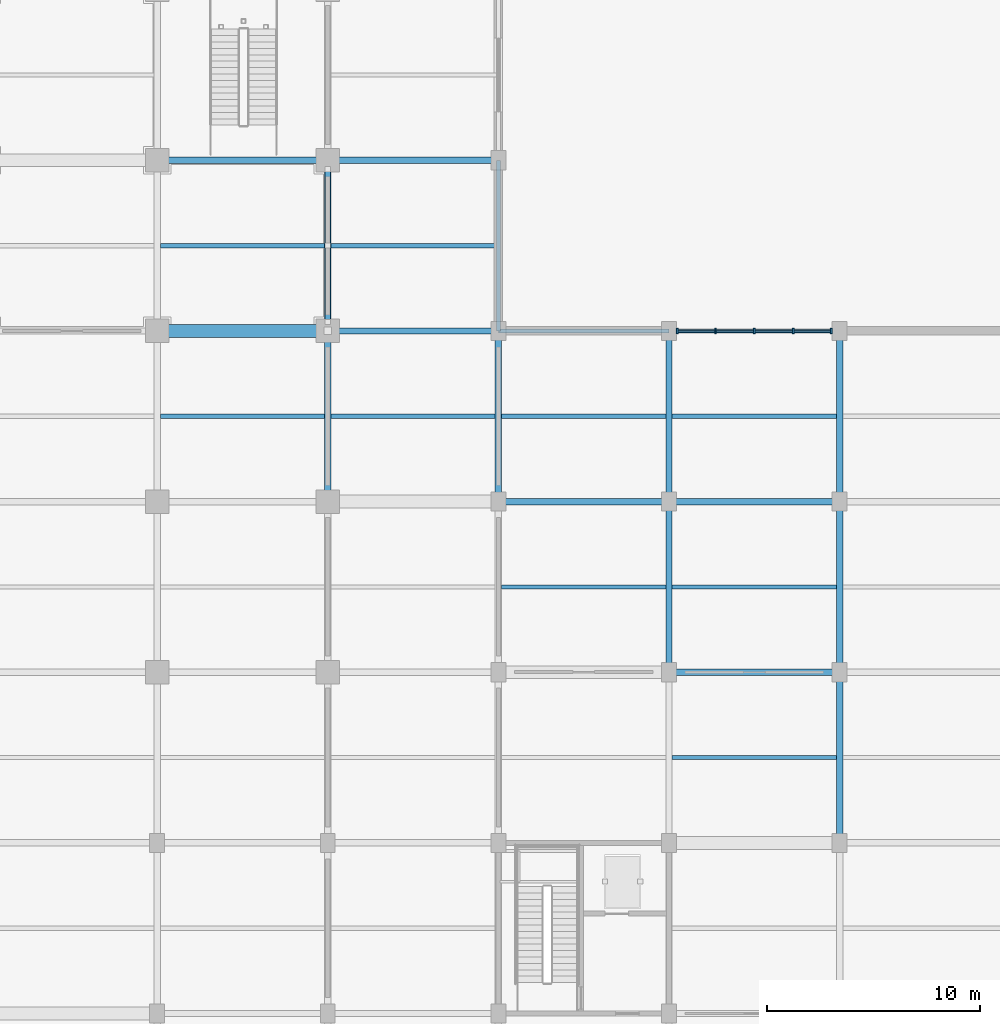
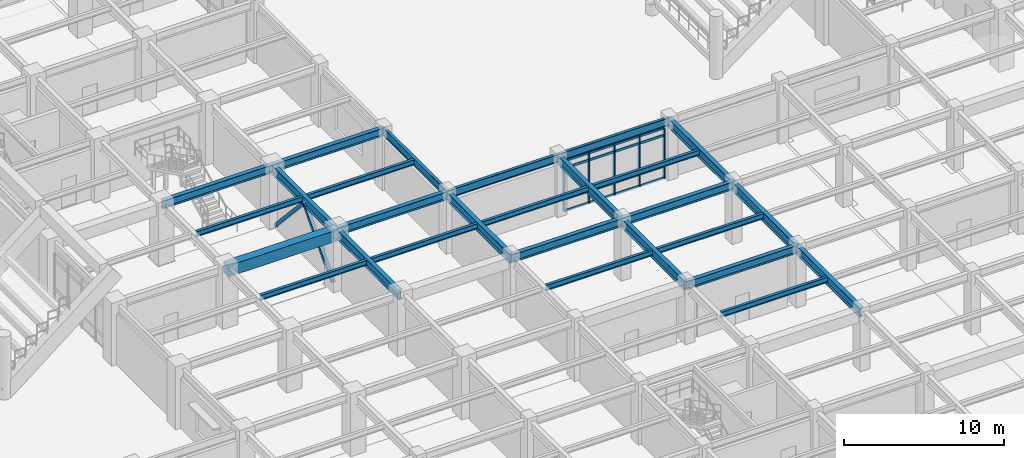
# One storey, part 33 of 125: 27 beams, 23 members, 1 element without a shape of its own.
"""IFC4 building model written with IfcOpenShell, lengths in metres."""

from ifc_helpers import new_model, si_unit, direction, frame, origin, origin_2d, place, context, subcontext, project, spatial, rectangle, hollow_rectangle, i_section, extrude, material, layer, layer_set, material_profile, profile_set, type_object, element, aggregate, save


model = new_model("IFC4")

# Units and contexts
model_context = context("Model", 3, precision=1e-05, world=origin(), true_north=direction((0.0, 1.0)))
body_context = subcontext(model_context, "Body", "Model", "MODEL_VIEW")
ifc_project = project(units=[si_unit("LENGTHUNIT", "METRE"), si_unit("AREAUNIT", "SQUARE_METRE"), si_unit("VOLUMEUNIT", "CUBIC_METRE"), si_unit("PLANEANGLEUNIT", "RADIAN"), si_unit("MASSUNIT", "GRAM", prefix="KILO")], contexts=[model_context])

# Site, building, storey
site_placement = place(None, origin())
site = spatial("IfcSite", under=ifc_project, at=site_placement, CompositionType="ELEMENT")
building_placement = place(site_placement, origin())
building = spatial("IfcBuilding", under=site, at=building_placement, Name="Haebicheon Civic Stadium", CompositionType="ELEMENT")
storey_placement = place(building_placement, origin())
storey = spatial("IfcBuildingStorey", under=building, at=storey_placement, Name="L01", CompositionType="ELEMENT", Elevation=0.0)

# Beams
ifc_material_1 = material(Name="Steel SM355 (S355)", Category="steel")
ifc_material_profile_1 = material_profile(ifc_material_1, i_section(OverallWidth=0.300048828125, OverallDepth=0.60009765625, WebThickness=0.011962890625, FlangeThickness=0.02001953125, at=origin_2d()), Name="H-600x300x12x20")
ifc_profile_set_1 = profile_set([ifc_material_profile_1], Name="Steel SM355 (S355)")
beam_type_1 = type_object("IfcBeamType", Name="BM-ST-H600A", PredefinedType="BEAM", material=ifc_profile_set_1)
for number, where, z_axis, x_axis, name in (
    (1, (152.0, 56.0, 4.219970703125), (1.0, 0.0, 0.0), (0.0, 1.0, 0.0), "L01 beam H/20-21"),
    (2, (160.0, 48.0, 4.219970703125), (1.0, 0.0, 0.0), (0.0, 1.0, 0.0), "L01 beam G/21-22"),
    (3, (160.0, 56.0, 4.219970703125), (1.0, 0.0, 0.0), (0.0, 1.0, 0.0), "L01 beam H/21-22"),
    (4, (168.0, 40.0, 4.219970703125), (1.0, 0.0, 0.0), (0.0, 1.0, 0.0), "L01 beam F/22-23"),
    (5, (176.0, 32.0, 4.219970703125), (1.0, 0.0, 0.0), (0.0, 1.0, 0.0), "L01 beam E/23-24"),
    (6, (176.0, 40.0, 4.219970703125), (1.0, 0.0, 0.0), (0.0, 1.0, 0.0), "L01 beam F/23-24"),
):
    element("IfcBeam", number, at=place(storey_placement, frame(where, z_axis=z_axis, x_axis=x_axis)), inside=storey, type_object=beam_type_1, material=ifc_profile_set_1, Name=name, PredefinedType="BEAM", context=body_context, shape_type="SweptSolid", body=[
        extrude(i_section(OverallWidth=0.300048828125, OverallDepth=0.60009765625, WebThickness=0.011962890625, FlangeThickness=0.02001953125, at=origin_2d()), origin(), (0.0, 0.0, 1.0), 8.0),
    ])
ifc_material_2 = material(Name="Steel SM490", Category="steel")
ifc_material_profile_2 = material_profile(ifc_material_2, i_section(OverallWidth=0.300048828125, OverallDepth=0.699951171875, WebThickness=0.012939453125, FlangeThickness=0.02392578125, at=origin_2d()), Name="H-700x300x13x24")
ifc_profile_set_2 = profile_set([ifc_material_profile_2], Name="Steel SM490")
beam_type_2 = type_object("IfcBeamType", Name="BM-ST-H700", PredefinedType="BEAM", material=ifc_profile_set_2)
for number, where, z_axis, x_axis, name in (
    (7, (160.0, 40.0, 4.169921875), (0.0, 1.0, 0.0), (-1.0, 0.0, 0.0), "L01 girder 21/F-G"),
    (8, (160.0, 48.0, 4.169921875), (0.0, 1.0, 0.0), (-1.0, 0.0, 0.0), "L01 girder 21/G-H"),
    (9, (168.0, 40.0, 4.169921875), (0.0, 1.0, 0.0), (-1.0, 0.0, 0.0), "L01 girder 22/F-G"),
    (10, (176.0, 32.0, 4.169921875), (0.0, 1.0, 0.0), (-1.0, 0.0, 0.0), "L01 girder 23/E-F"),
    (11, (176.0, 40.0, 4.169921875), (0.0, 1.0, 0.0), (-1.0, 0.0, 0.0), "L01 girder 23/F-G"),
    (12, (184.0, 24.0, 4.169921875), (0.0, 1.0, 0.0), (-1.0, 0.0, 0.0), "L01 girder 24/D-E"),
    (13, (184.0, 32.0, 4.169921875), (0.0, 1.0, 0.0), (-1.0, 0.0, 0.0), "L01 girder 24/E-F"),
    (14, (184.0, 40.0, 4.169921875), (0.0, 1.0, 0.0), (-1.0, 0.0, 0.0), "L01 girder 24/F-G"),
):
    element("IfcBeam", number, at=place(storey_placement, frame(where, z_axis=z_axis, x_axis=x_axis)), inside=storey, type_object=beam_type_2, material=ifc_profile_set_2, Name=name, PredefinedType="BEAM", context=body_context, shape_type="SweptSolid", body=[
        extrude(i_section(OverallWidth=0.300048828125, OverallDepth=0.699951171875, WebThickness=0.012939453125, FlangeThickness=0.02392578125, at=origin_2d()), origin(), (0.0, 0.0, 1.0), 8.0),
    ])
ifc_material_3 = material(Name="Precast concrete C40/50", Category="concrete")
ifc_material_profile_3 = material_profile(ifc_material_3, rectangle(XDim=0.60009765625, YDim=0.85009765625, at=origin_2d()), Name="PC-TB-600x850")
ifc_profile_set_3 = profile_set([ifc_material_profile_3], Name="Precast concrete C40/50")
beam_type_3 = type_object("IfcBeamType", Name="BM-TB-600x850", PredefinedType="T_BEAM", material=ifc_profile_set_3)
beam_1_placement = place(storey_placement, frame((152.0, 48.0, 4.094970703125), z_axis=(1.0, 0.0, 0.0), x_axis=(0.0, 1.0, 0.0)))
element("IfcBeam", 15, at=beam_1_placement, inside=storey, type_object=beam_type_3, material=ifc_profile_set_3, Name="L01 beam G/20-21", PredefinedType="T_BEAM", context=body_context, shape_type="SweptSolid", body=[
    extrude(rectangle(XDim=0.60009765625, YDim=0.85009765625, at=origin_2d()), origin(), (0.0, 0.0, 1.0), 8.0),
])

# Members
ifc_material_4 = material(Name="Steel SM490", Category="steel")
ifc_material_profile_4 = material_profile(ifc_material_4, hollow_rectangle(XDim=0.25, YDim=0.25, WallThickness=0.011962890625, at=origin_2d()), Name="RHS-250x250x12.0")
ifc_profile_set_4 = profile_set([ifc_material_profile_4], Name="Steel SM490")
member_type_1 = type_object("IfcMemberType", Name="BRC-RHS250", PredefinedType="BRACE", material=ifc_profile_set_4)
for number, where, z_axis, x_axis, name in (
    (16, (160.0, 48.419921875, 0.0400390625), (0.0, 0.676254882326, 0.736667723014), (-1.0, 0.0, 0.0), "BR250 chevron brace L01 19-06 A"),
    (17, (160.0, 55.580078125, 0.0400390625), (0.0, -0.676254882326, 0.736667723014), (1.0, 0.0, 0.0), "BR250 chevron brace L01 19-06 B"),
):
    element("IfcMember", number, at=place(storey_placement, frame(where, z_axis=z_axis, x_axis=x_axis)), inside=storey, type_object=member_type_1, material=ifc_profile_set_4, Name=name, PredefinedType="BRACE", context=body_context, shape_type="SweptSolid", body=[
        extrude(hollow_rectangle(XDim=0.25, YDim=0.25, WallThickness=0.011962890625, at=origin_2d()), origin(), (0.0, 0.0, 1.0), 5.2939453125),
    ])

# Curtain wall, members
ifc_material_5 = material(Name="Anodised aluminium and laminated glass", Category="aluminium")
ifc_layer = layer(ifc_material_5, 0.179931640625, Name="Anodised aluminium and laminated glass")
ifc_layer_set = layer_set([ifc_layer], Name="Anodised aluminium and laminated glass")
curtain_wall_type = type_object("IfcCurtainWallType", Name="CW-7300x3810", PredefinedType="NOTDEFINED", material=ifc_layer_set)
curtain_wall_placement = place(storey_placement, origin())
curtain_wall = element("IfcCurtainWall", 18, at=curtain_wall_placement, inside=storey, type_object=curtain_wall_type, material=ifc_layer_set, Name="L01 unitised curtain wall 021", PredefinedType="NOTDEFINED")
ifc_material_6 = material(Name="Anodised aluminium 6063-T6", Category="aluminium")
ifc_material_profile_5 = material_profile(ifc_material_6, rectangle(XDim=0.080078125, YDim=0.239990234375, at=origin_2d()), Name="ALU-MULL-80x240")
ifc_profile_set_5 = profile_set([ifc_material_profile_5], Name="Anodised aluminium 6063-T6")
member_type_2 = type_object("IfcMemberType", Name="CWM-240x80", PredefinedType="MULLION", material=ifc_profile_set_5)
member_1_placement = place(storey_placement, frame((176.389892578125, 48.0, 0.0), z_axis=(0.0, 0.0, 1.0), x_axis=(1.0, 0.0, 0.0)))
member_1 = element("IfcMember", 19, at=member_1_placement, type_object=member_type_2, material=ifc_profile_set_5, Name="CW-L01-021 vertical mullion 1", PredefinedType="MULLION", context=body_context, shape_type="SweptSolid", body=[
    extrude(rectangle(XDim=0.080078125, YDim=0.239990234375, at=origin_2d()), origin(), (0.0, 0.0, 1.0), 3.81005859375),
])
member_2_placement = place(storey_placement, frame((178.175048828125, 48.0, 0.0), z_axis=(0.0, 0.0, 1.0), x_axis=(1.0, 0.0, 0.0)))
member_2 = element("IfcMember", 20, at=member_2_placement, type_object=member_type_2, material=ifc_profile_set_5, Name="CW-L01-021 vertical mullion 2", PredefinedType="MULLION", context=body_context, shape_type="SweptSolid", body=[
    extrude(rectangle(XDim=0.080078125, YDim=0.239990234375, at=origin_2d()), origin(), (0.0, 0.0, 1.0), 3.81005859375),
])
member_3_placement = place(storey_placement, frame((180.0, 48.0, 0.0), z_axis=(0.0, 0.0, 1.0), x_axis=(1.0, 0.0, 0.0)))
member_3 = element("IfcMember", 21, at=member_3_placement, type_object=member_type_2, material=ifc_profile_set_5, Name="CW-L01-021 vertical mullion 3", PredefinedType="MULLION", context=body_context, shape_type="SweptSolid", body=[
    extrude(rectangle(XDim=0.080078125, YDim=0.239990234375, at=origin_2d()), origin(), (0.0, 0.0, 1.0), 3.81005859375),
])
member_4_placement = place(storey_placement, frame((181.824951171875, 48.0, 0.0), z_axis=(0.0, 0.0, 1.0), x_axis=(1.0, 0.0, 0.0)))
member_4 = element("IfcMember", 22, at=member_4_placement, type_object=member_type_2, material=ifc_profile_set_5, Name="CW-L01-021 vertical mullion 4", PredefinedType="MULLION", context=body_context, shape_type="SweptSolid", body=[
    extrude(rectangle(XDim=0.080078125, YDim=0.239990234375, at=origin_2d()), origin(), (0.0, 0.0, 1.0), 3.81005859375),
])
member_5_placement = place(storey_placement, frame((183.610107421875, 48.0, 0.0), z_axis=(0.0, 0.0, 1.0), x_axis=(1.0, 0.0, 0.0)))
member_5 = element("IfcMember", 23, at=member_5_placement, type_object=member_type_2, material=ifc_profile_set_5, Name="CW-L01-021 vertical mullion 5", PredefinedType="MULLION", context=body_context, shape_type="SweptSolid", body=[
    extrude(rectangle(XDim=0.080078125, YDim=0.239990234375, at=origin_2d()), origin(), (0.0, 0.0, 1.0), 3.81005859375),
])
ifc_material_7 = material(Name="Anodised aluminium 6063-T6", Category="aluminium")
ifc_material_profile_6 = material_profile(ifc_material_7, rectangle(XDim=0.080078125, YDim=0.179931640625, at=origin_2d()), Name="ALU-TRAN-80x180")
ifc_profile_set_6 = profile_set([ifc_material_profile_6], Name="Anodised aluminium 6063-T6")
member_type_3 = type_object("IfcMemberType", Name="CWT-180x80", PredefinedType="NOTDEFINED", material=ifc_profile_set_6)
member_6_placement = place(storey_placement, frame((176.429931640625, 48.0, 0.0), z_axis=(1.0, 0.0, 0.0), x_axis=(0.0, 1.0, 0.0)))
member_6 = element("IfcMember", 24, at=member_6_placement, type_object=member_type_3, material=ifc_profile_set_6, Name="CW-L01-021 horizontal transom 1.1", ObjectType="TRANSOM", PredefinedType="USERDEFINED", context=body_context, shape_type="SweptSolid", body=[
    extrude(rectangle(XDim=0.080078125, YDim=0.179931640625, at=origin_2d()), origin(), (0.0, 0.0, 1.0), 1.705078125),
])
member_7_placement = place(storey_placement, frame((176.429931640625, 48.0, 0.89990234375), z_axis=(1.0, 0.0, 0.0), x_axis=(0.0, 1.0, 0.0)))
member_7 = element("IfcMember", 25, at=member_7_placement, type_object=member_type_3, material=ifc_profile_set_6, Name="CW-L01-021 horizontal transom 1.2", ObjectType="TRANSOM", PredefinedType="USERDEFINED", context=body_context, shape_type="SweptSolid", body=[
    extrude(rectangle(XDim=0.080078125, YDim=0.179931640625, at=origin_2d()), origin(), (0.0, 0.0, 1.0), 1.705078125),
])
member_8_placement = place(storey_placement, frame((176.429931640625, 48.0, 3.260009765625), z_axis=(1.0, 0.0, 0.0), x_axis=(0.0, 1.0, 0.0)))
member_8 = element("IfcMember", 26, at=member_8_placement, type_object=member_type_3, material=ifc_profile_set_6, Name="CW-L01-021 horizontal transom 1.3", ObjectType="TRANSOM", PredefinedType="USERDEFINED", context=body_context, shape_type="SweptSolid", body=[
    extrude(rectangle(XDim=0.080078125, YDim=0.179931640625, at=origin_2d()), origin(), (0.0, 0.0, 1.0), 1.705078125),
])
member_9_placement = place(storey_placement, frame((176.429931640625, 48.0, 3.81005859375), z_axis=(1.0, 0.0, 0.0), x_axis=(0.0, 1.0, 0.0)))
member_9 = element("IfcMember", 27, at=member_9_placement, type_object=member_type_3, material=ifc_profile_set_6, Name="CW-L01-021 horizontal transom 1.4", ObjectType="TRANSOM", PredefinedType="USERDEFINED", context=body_context, shape_type="SweptSolid", body=[
    extrude(rectangle(XDim=0.080078125, YDim=0.179931640625, at=origin_2d()), origin(), (0.0, 0.0, 1.0), 1.705078125),
])
member_10_placement = place(storey_placement, frame((178.215087890625, 48.0, 0.0), z_axis=(1.0, 0.0, 0.0), x_axis=(0.0, 1.0, 0.0)))
member_10 = element("IfcMember", 28, at=member_10_placement, type_object=member_type_3, material=ifc_profile_set_6, Name="CW-L01-021 horizontal transom 2.1", ObjectType="TRANSOM", PredefinedType="USERDEFINED", context=body_context, shape_type="SweptSolid", body=[
    extrude(rectangle(XDim=0.080078125, YDim=0.179931640625, at=origin_2d()), origin(), (0.0, 0.0, 1.0), 1.744873046875),
])
member_11_placement = place(storey_placement, frame((178.215087890625, 48.0, 0.89990234375), z_axis=(1.0, 0.0, 0.0), x_axis=(0.0, 1.0, 0.0)))
member_11 = element("IfcMember", 29, at=member_11_placement, type_object=member_type_3, material=ifc_profile_set_6, Name="CW-L01-021 horizontal transom 2.2", ObjectType="TRANSOM", PredefinedType="USERDEFINED", context=body_context, shape_type="SweptSolid", body=[
    extrude(rectangle(XDim=0.080078125, YDim=0.179931640625, at=origin_2d()), origin(), (0.0, 0.0, 1.0), 1.744873046875),
])
member_12_placement = place(storey_placement, frame((178.215087890625, 48.0, 3.260009765625), z_axis=(1.0, 0.0, 0.0), x_axis=(0.0, 1.0, 0.0)))
member_12 = element("IfcMember", 30, at=member_12_placement, type_object=member_type_3, material=ifc_profile_set_6, Name="CW-L01-021 horizontal transom 2.3", ObjectType="TRANSOM", PredefinedType="USERDEFINED", context=body_context, shape_type="SweptSolid", body=[
    extrude(rectangle(XDim=0.080078125, YDim=0.179931640625, at=origin_2d()), origin(), (0.0, 0.0, 1.0), 1.744873046875),
])
member_13_placement = place(storey_placement, frame((178.215087890625, 48.0, 3.81005859375), z_axis=(1.0, 0.0, 0.0), x_axis=(0.0, 1.0, 0.0)))
member_13 = element("IfcMember", 31, at=member_13_placement, type_object=member_type_3, material=ifc_profile_set_6, Name="CW-L01-021 horizontal transom 2.4", ObjectType="TRANSOM", PredefinedType="USERDEFINED", context=body_context, shape_type="SweptSolid", body=[
    extrude(rectangle(XDim=0.080078125, YDim=0.179931640625, at=origin_2d()), origin(), (0.0, 0.0, 1.0), 1.744873046875),
])
member_14_placement = place(storey_placement, frame((180.0400390625, 48.0, 0.0), z_axis=(1.0, 0.0, 0.0), x_axis=(0.0, 1.0, 0.0)))
member_14 = element("IfcMember", 32, at=member_14_placement, type_object=member_type_3, material=ifc_profile_set_6, Name="CW-L01-021 horizontal transom 3.1", ObjectType="TRANSOM", PredefinedType="USERDEFINED", context=body_context, shape_type="SweptSolid", body=[
    extrude(rectangle(XDim=0.080078125, YDim=0.179931640625, at=origin_2d()), origin(), (0.0, 0.0, 1.0), 1.744873046875),
])
member_15_placement = place(storey_placement, frame((180.0400390625, 48.0, 0.89990234375), z_axis=(1.0, 0.0, 0.0), x_axis=(0.0, 1.0, 0.0)))
member_15 = element("IfcMember", 33, at=member_15_placement, type_object=member_type_3, material=ifc_profile_set_6, Name="CW-L01-021 horizontal transom 3.2", ObjectType="TRANSOM", PredefinedType="USERDEFINED", context=body_context, shape_type="SweptSolid", body=[
    extrude(rectangle(XDim=0.080078125, YDim=0.179931640625, at=origin_2d()), origin(), (0.0, 0.0, 1.0), 1.744873046875),
])
member_16_placement = place(storey_placement, frame((180.0400390625, 48.0, 3.260009765625), z_axis=(1.0, 0.0, 0.0), x_axis=(0.0, 1.0, 0.0)))
member_16 = element("IfcMember", 34, at=member_16_placement, type_object=member_type_3, material=ifc_profile_set_6, Name="CW-L01-021 horizontal transom 3.3", ObjectType="TRANSOM", PredefinedType="USERDEFINED", context=body_context, shape_type="SweptSolid", body=[
    extrude(rectangle(XDim=0.080078125, YDim=0.179931640625, at=origin_2d()), origin(), (0.0, 0.0, 1.0), 1.744873046875),
])
member_17_placement = place(storey_placement, frame((180.0400390625, 48.0, 3.81005859375), z_axis=(1.0, 0.0, 0.0), x_axis=(0.0, 1.0, 0.0)))
member_17 = element("IfcMember", 35, at=member_17_placement, type_object=member_type_3, material=ifc_profile_set_6, Name="CW-L01-021 horizontal transom 3.4", ObjectType="TRANSOM", PredefinedType="USERDEFINED", context=body_context, shape_type="SweptSolid", body=[
    extrude(rectangle(XDim=0.080078125, YDim=0.179931640625, at=origin_2d()), origin(), (0.0, 0.0, 1.0), 1.744873046875),
])
member_18_placement = place(storey_placement, frame((181.864990234375, 48.0, 0.0), z_axis=(1.0, 0.0, 0.0), x_axis=(0.0, 1.0, 0.0)))
member_18 = element("IfcMember", 36, at=member_18_placement, type_object=member_type_3, material=ifc_profile_set_6, Name="CW-L01-021 horizontal transom 4.1", ObjectType="TRANSOM", PredefinedType="USERDEFINED", context=body_context, shape_type="SweptSolid", body=[
    extrude(rectangle(XDim=0.080078125, YDim=0.179931640625, at=origin_2d()), origin(), (0.0, 0.0, 1.0), 1.705078125),
])
member_19_placement = place(storey_placement, frame((181.864990234375, 48.0, 0.89990234375), z_axis=(1.0, 0.0, 0.0), x_axis=(0.0, 1.0, 0.0)))
member_19 = element("IfcMember", 37, at=member_19_placement, type_object=member_type_3, material=ifc_profile_set_6, Name="CW-L01-021 horizontal transom 4.2", ObjectType="TRANSOM", PredefinedType="USERDEFINED", context=body_context, shape_type="SweptSolid", body=[
    extrude(rectangle(XDim=0.080078125, YDim=0.179931640625, at=origin_2d()), origin(), (0.0, 0.0, 1.0), 1.705078125),
])
member_20_placement = place(storey_placement, frame((181.864990234375, 48.0, 3.260009765625), z_axis=(1.0, 0.0, 0.0), x_axis=(0.0, 1.0, 0.0)))
member_20 = element("IfcMember", 38, at=member_20_placement, type_object=member_type_3, material=ifc_profile_set_6, Name="CW-L01-021 horizontal transom 4.3", ObjectType="TRANSOM", PredefinedType="USERDEFINED", context=body_context, shape_type="SweptSolid", body=[
    extrude(rectangle(XDim=0.080078125, YDim=0.179931640625, at=origin_2d()), origin(), (0.0, 0.0, 1.0), 1.705078125),
])
member_21_placement = place(storey_placement, frame((181.864990234375, 48.0, 3.81005859375), z_axis=(1.0, 0.0, 0.0), x_axis=(0.0, 1.0, 0.0)))
member_21 = element("IfcMember", 39, at=member_21_placement, type_object=member_type_3, material=ifc_profile_set_6, Name="CW-L01-021 horizontal transom 4.4", ObjectType="TRANSOM", PredefinedType="USERDEFINED", context=body_context, shape_type="SweptSolid", body=[
    extrude(rectangle(XDim=0.080078125, YDim=0.179931640625, at=origin_2d()), origin(), (0.0, 0.0, 1.0), 1.705078125),
])
aggregate(curtain_wall, [member_1, member_2, member_3, member_4, member_5, member_6, member_7, member_8, member_9, member_10, member_11, member_12, member_13, member_14, member_15, member_16, member_17, member_18, member_19, member_20, member_21])

# Beams
ifc_material_8 = material(Name="Steel SM355 (S355)", Category="steel")
ifc_material_profile_7 = material_profile(ifc_material_8, i_section(OverallWidth=0.199951171875, OverallDepth=0.39990234375, WebThickness=0.008056640625, FlangeThickness=0.012939453125, at=origin_2d()), Name="H-400x200x8x13")
ifc_profile_set_7 = profile_set([ifc_material_profile_7], Name="Steel SM355 (S355)")
beam_type_4 = type_object("IfcBeamType", Name="JST-ST-H400", PredefinedType="JOIST", material=ifc_profile_set_7)
for number, where, z_axis, x_axis, name in (
    (40, (152.14990234375, 44.0, 4.320068359375), (1.0, 0.0, 0.0), (0.0, 1.0, 0.0), "L01 secondary joist 19-05"),
    (41, (152.14990234375, 52.0, 4.320068359375), (1.0, 0.0, 0.0), (0.0, 1.0, 0.0), "L01 secondary joist 19-06"),
    (42, (160.14990234375, 44.0, 4.320068359375), (1.0, 0.0, 0.0), (0.0, 1.0, 0.0), "L01 secondary joist 20-05"),
):
    element("IfcBeam", number, at=place(storey_placement, frame(where, z_axis=z_axis, x_axis=x_axis)), inside=storey, type_object=beam_type_4, material=ifc_profile_set_7, Name=name, PredefinedType="JOIST", context=body_context, shape_type="SweptSolid", body=[
        extrude(i_section(OverallWidth=0.199951171875, OverallDepth=0.39990234375, WebThickness=0.008056640625, FlangeThickness=0.012939453125, at=origin_2d()), origin(), (0.0, 0.0, 1.0), 7.7001953125),
    ])
beam_2_placement = place(storey_placement, frame((160.14990234375, 52.0, 4.320068359375), z_axis=(1.0, 0.0, 0.0), x_axis=(0.0, 1.0, 0.0)))
element("IfcBeam", 43, at=beam_2_placement, inside=storey, type_object=beam_type_4, material=ifc_profile_set_7, Name="L01 secondary joist 20-06", PredefinedType="JOIST", context=body_context, shape_type="SweptSolid", body=[
    extrude(i_section(OverallWidth=0.199951171875, OverallDepth=0.39990234375, WebThickness=0.008056640625, FlangeThickness=0.012939453125, at=origin_2d()), origin(), (0.0, 0.0, 1.0), 7.75),
])
for number, where, z_axis, x_axis, name in (
    (44, (168.14990234375, 36.0, 4.320068359375), (1.0, 0.0, 0.0), (0.0, 1.0, 0.0), "L01 secondary joist 21-04"),
    (45, (168.14990234375, 44.0, 4.320068359375), (1.0, 0.0, 0.0), (0.0, 1.0, 0.0), "L01 secondary joist 21-05"),
    (46, (176.14990234375, 28.0, 4.320068359375), (1.0, 0.0, 0.0), (0.0, 1.0, 0.0), "L01 secondary joist 22-03"),
    (47, (176.14990234375, 36.0, 4.320068359375), (1.0, 0.0, 0.0), (0.0, 1.0, 0.0), "L01 secondary joist 22-04"),
    (48, (176.14990234375, 44.0, 4.320068359375), (1.0, 0.0, 0.0), (0.0, 1.0, 0.0), "L01 secondary joist 22-05"),
):
    element("IfcBeam", number, at=place(storey_placement, frame(where, z_axis=z_axis, x_axis=x_axis)), inside=storey, type_object=beam_type_4, material=ifc_profile_set_7, Name=name, PredefinedType="JOIST", context=body_context, shape_type="SweptSolid", body=[
        extrude(i_section(OverallWidth=0.199951171875, OverallDepth=0.39990234375, WebThickness=0.008056640625, FlangeThickness=0.012939453125, at=origin_2d()), origin(), (0.0, 0.0, 1.0), 7.7001953125),
    ])
ifc_material_9 = material(Name="Steel SM355 (S355)", Category="steel")
ifc_material_profile_8 = material_profile(ifc_material_9, i_section(OverallWidth=0.199951171875, OverallDepth=0.60009765625, WebThickness=0.010986328125, FlangeThickness=0.01708984375, at=origin_2d()), Name="H-600x200x11x17")
ifc_profile_set_8 = profile_set([ifc_material_profile_8], Name="Steel SM355 (S355)")
beam_type_5 = type_object("IfcBeamType", Name="SPD-ST-H600B", PredefinedType="SPANDREL", material=ifc_profile_set_8)
for number, where, z_axis, x_axis, name in (
    (49, (168.0, 48.0, 4.219970703125), (0.0, 1.0, 0.0), (-1.0, 0.0, 0.0), "L01 girder 22/G-H"),
    (50, (168.0, 48.0, 4.219970703125), (1.0, 0.0, 0.0), (0.0, 1.0, 0.0), "L01 beam G/22-23"),
    (51, (176.0, 48.0, 4.219970703125), (1.0, 0.0, 0.0), (0.0, 1.0, 0.0), "L01 beam G/23-24"),
):
    element("IfcBeam", number, at=place(storey_placement, frame(where, z_axis=z_axis, x_axis=x_axis)), inside=storey, type_object=beam_type_5, material=ifc_profile_set_8, Name=name, PredefinedType="SPANDREL", context=body_context, shape_type="SweptSolid", body=[
        extrude(i_section(OverallWidth=0.199951171875, OverallDepth=0.60009765625, WebThickness=0.010986328125, FlangeThickness=0.01708984375, at=origin_2d()), origin(), (0.0, 0.0, 1.0), 8.0),
    ])

save(model, "model.ifc")
